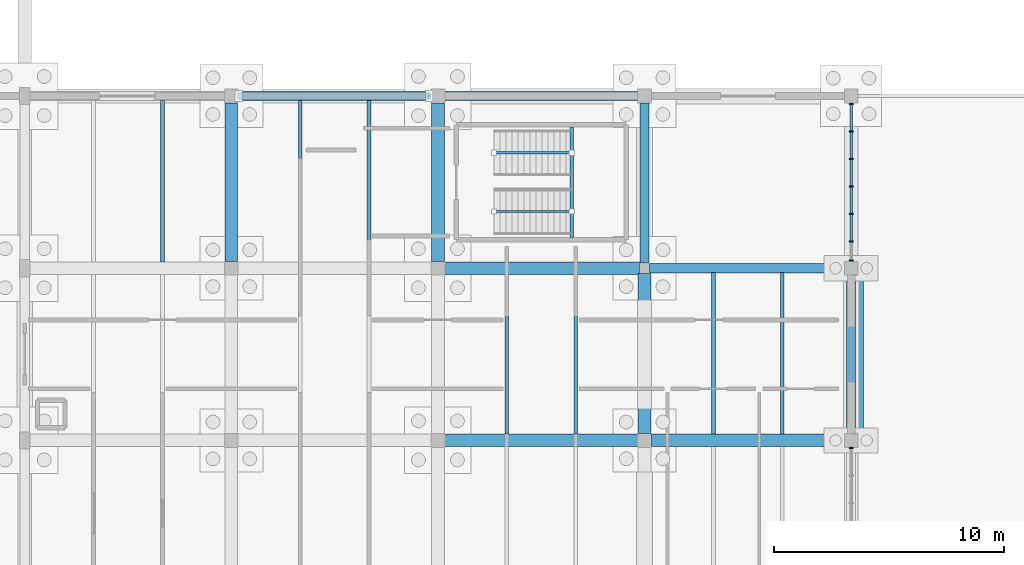
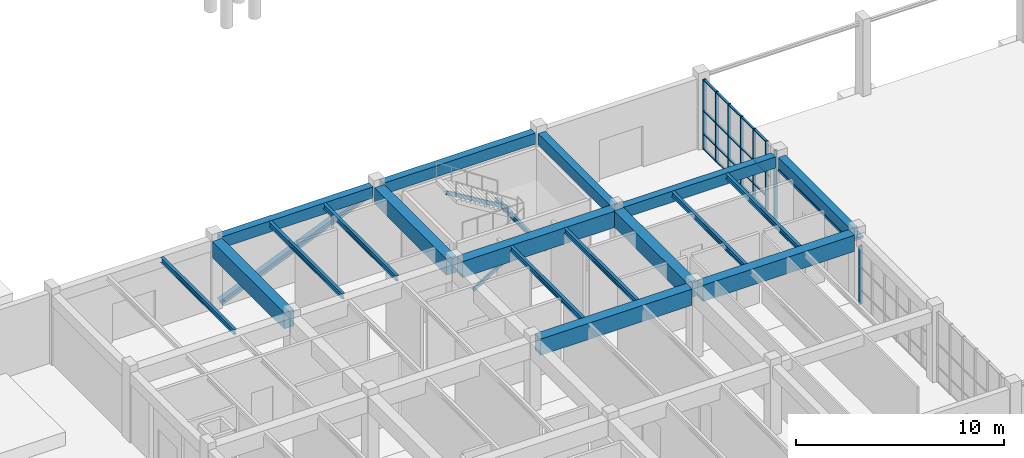
# One storey, part 24 of 93: 32 members, 19 beams, 2 elements without a shape of their own.
"""IFC4 building model written with IfcOpenShell, lengths in metres."""

from ifc_helpers import new_model, si_unit, direction, frame, origin, origin_2d, place, context, subcontext, project, spatial, rectangle, hollow_rectangle, i_section, extrude, material, layer, layer_set, material_profile, profile_set, type_object, element, aggregate, save


model = new_model("IFC4")

# Units and contexts
model_context = context("Model", 3, precision=1e-05, world=origin(), true_north=direction((0.0, 1.0)))
body_context = subcontext(model_context, "Body", "Model", "MODEL_VIEW")
ifc_project = project(units=[si_unit("LENGTHUNIT", "METRE"), si_unit("AREAUNIT", "SQUARE_METRE"), si_unit("VOLUMEUNIT", "CUBIC_METRE"), si_unit("PLANEANGLEUNIT", "RADIAN"), si_unit("MASSUNIT", "GRAM", prefix="KILO")], contexts=[model_context])

# Site, building, storey
site_placement = place(None, origin())
site = spatial("IfcSite", under=ifc_project, at=site_placement, CompositionType="ELEMENT")
building_placement = place(site_placement, origin())
building = spatial("IfcBuilding", under=site, at=building_placement, Name="Marnridge Secondary College", CompositionType="ELEMENT")
storey_placement = place(building_placement, origin())
storey = spatial("IfcBuildingStorey", under=building, at=storey_placement, Name="L00", CompositionType="ELEMENT", Elevation=0.0)

# Beams
ifc_material_1 = material(Name="Concrete C40/50 (AS 3600 N40, 40 MPa)", Category="concrete")
ifc_material_profile_1 = material_profile(ifc_material_1, rectangle(XDim=0.39990234375, YDim=0.64990234375, at=origin_2d()), Name="RC 400x650")
ifc_profile_set_1 = profile_set([ifc_material_profile_1], Name="Concrete C40/50 (AS 3600 N40, 40 MPa)")
beam_type_1 = type_object("IfcBeamType", Name="BM-RC4065-EXT", PredefinedType="SPANDREL", material=ifc_profile_set_1)
for number, where, z_axis, x_axis, name in (
    (1, (99.2939453125, 30.0, 3.77490234375), (1.0, 0.0, 0.0), (0.0, 1.0, 0.0), "Beam BS-L00-0184"),
    (2, (108.2939453125, 30.0, 3.77490234375), (1.0, 0.0, 0.0), (0.0, 1.0, 0.0), "Beam BS-L00-0193"),
):
    element("IfcBeam", number, at=place(storey_placement, frame(where, z_axis=z_axis, x_axis=x_axis)), inside=storey, type_object=beam_type_1, Name=name, PredefinedType="SPANDREL", context=body_context, shape_type="SweptSolid", body=[
        extrude(rectangle(XDim=0.39990234375, YDim=0.64990234375, at=origin_2d()), origin(), (0.0, 0.0, 1.0), 8.412109375),
    ])
beam_1_placement = place(storey_placement, frame((117.0, 22.718994140625, 3.77490234375), z_axis=(0.0, 1.0, 0.0), x_axis=(-1.0, 0.0, 0.0)))
element("IfcBeam", 3, at=beam_1_placement, inside=storey, type_object=beam_type_1, Name="Beam BS-L00-0194", PredefinedType="SPANDREL", context=body_context, shape_type="SweptSolid", body=[
    extrude(rectangle(XDim=0.39990234375, YDim=0.64990234375, at=origin_2d()), origin(), (0.0, 0.0, 1.0), 6.987060546875),
])
beam_2_placement = place(storey_placement, frame((117.218994140625, 22.5, 3.77490234375), z_axis=(1.0, 0.0, 0.0), x_axis=(0.0, 1.0, 0.0)))
element("IfcBeam", 4, at=beam_2_placement, inside=storey, type_object=beam_type_1, Name="Beam BS-L00-0198", PredefinedType="SPANDREL", context=body_context, shape_type="SweptSolid", body=[
    extrude(rectangle(XDim=0.39990234375, YDim=0.64990234375, at=origin_2d()), origin(), (0.0, 0.0, 1.0), 8.487060546875),
])
beam_3_placement = place(storey_placement, frame((126.0, 15.2939453125, 3.77490234375), z_axis=(0.0, 1.0, 0.0), x_axis=(-1.0, 0.0, 0.0)))
element("IfcBeam", 5, at=beam_3_placement, inside=storey, type_object=beam_type_1, Name="Beam BS-L00-0199", PredefinedType="SPANDREL", context=body_context, shape_type="SweptSolid", body=[
    extrude(rectangle(XDim=0.39990234375, YDim=0.64990234375, at=origin_2d()), origin(), (0.0, 0.0, 1.0), 6.912109375),
])
ifc_material_2 = material(Name="Concrete C40/50 (AS 3600 N40, 40 MPa)", Category="concrete")
ifc_material_profile_2 = material_profile(ifc_material_2, rectangle(XDim=0.550048828125, YDim=0.949951171875, at=origin_2d()), Name="RC 550x950")
ifc_profile_set_2 = profile_set([ifc_material_profile_2], Name="Concrete C40/50 (AS 3600 N40, 40 MPa)")
beam_type_2 = type_object("IfcBeamType", Name="BM-RC5595-INT", PredefinedType="BEAM", material=ifc_profile_set_2)
for number, where, z_axis, x_axis, name in (
    (6, (99.0, 22.7939453125, 3.625), (0.0, 1.0, 0.0), (-1.0, 0.0, 0.0), "Beam B-L00-0176"),
    (7, (108.0, 22.7939453125, 3.625), (0.0, 1.0, 0.0), (-1.0, 0.0, 0.0), "Beam B-L00-0185"),
):
    element("IfcBeam", number, at=place(storey_placement, frame(where, z_axis=z_axis, x_axis=x_axis)), inside=storey, type_object=beam_type_2, Name=name, PredefinedType="BEAM", context=body_context, shape_type="SweptSolid", body=[
        extrude(rectangle(XDim=0.550048828125, YDim=0.949951171875, at=origin_2d()), origin(), (0.0, 0.0, 1.0), 6.912109375),
    ])
beam_4_placement = place(storey_placement, frame((108.2939453125, 15.0, 3.625), z_axis=(1.0, 0.0, 0.0), x_axis=(0.0, 1.0, 0.0)))
element("IfcBeam", 8, at=beam_4_placement, inside=storey, type_object=beam_type_2, Name="Beam B-L00-0189", PredefinedType="BEAM", context=body_context, shape_type="SweptSolid", body=[
    extrude(rectangle(XDim=0.550048828125, YDim=0.949951171875, at=origin_2d()), origin(), (0.0, 0.0, 1.0), 8.412109375),
])
beam_5_placement = place(storey_placement, frame((108.2939453125, 22.5, 3.625), z_axis=(1.0, 0.0, 0.0), x_axis=(0.0, 1.0, 0.0)))
element("IfcBeam", 9, at=beam_5_placement, inside=storey, type_object=beam_type_2, Name="Beam B-L00-0191", PredefinedType="BEAM", context=body_context, shape_type="SweptSolid", body=[
    extrude(rectangle(XDim=0.550048828125, YDim=0.949951171875, at=origin_2d()), origin(), (0.0, 0.0, 1.0), 8.487060546875),
])
beam_6_placement = place(storey_placement, frame((117.0, 15.2939453125, 3.625), z_axis=(0.0, 1.0, 0.0), x_axis=(-1.0, 0.0, 0.0)))
element("IfcBeam", 10, at=beam_6_placement, inside=storey, type_object=beam_type_2, Name="Beam B-L00-0192", PredefinedType="BEAM", context=body_context, shape_type="SweptSolid", body=[
    extrude(rectangle(XDim=0.550048828125, YDim=0.949951171875, at=origin_2d()), origin(), (0.0, 0.0, 1.0), 6.987060546875),
])
beam_7_placement = place(storey_placement, frame((117.2939453125, 15.0, 3.625), z_axis=(1.0, 0.0, 0.0), x_axis=(0.0, 1.0, 0.0)))
element("IfcBeam", 11, at=beam_7_placement, inside=storey, type_object=beam_type_2, Name="Beam B-L00-0196", PredefinedType="BEAM", context=body_context, shape_type="SweptSolid", body=[
    extrude(rectangle(XDim=0.550048828125, YDim=0.949951171875, at=origin_2d()), origin(), (0.0, 0.0, 1.0), 8.412109375),
])
ifc_material_3 = material(Name="Structural steel Grade 350 (AS/NZS 3679.1/.2, fy = 340-360 MPa)", Category="steel")
ifc_material_profile_3 = material_profile(ifc_material_3, i_section(OverallWidth=0.146240234375, OverallDepth=0.256103515625, WebThickness=0.00634765625, FlangeThickness=0.010986328125, FilletRadius=0.0087890625, at=origin_2d()), Name="250UB37.3")
ifc_profile_set_3 = profile_set([ifc_material_profile_3], Name="Structural steel Grade 350 (AS/NZS 3679.1/.2, fy = 340-360 MPa)")
beam_type_3 = type_object("IfcBeamType", Name="BM-UB250-EXT", PredefinedType="LINTEL", material=ifc_profile_set_3)
beam_8_placement = place(storey_placement, frame((113.830078125, 23.842041015625, 1.921875), z_axis=(0.0, 1.0, 0.0), x_axis=(-1.0, 0.0, 0.0)))
element("IfcBeam", 12, at=beam_8_placement, inside=storey, type_object=beam_type_3, Name="Stair landing trimmer beam BT-L00-053", PredefinedType="LINTEL", context=body_context, shape_type="SweptSolid", body=[
    extrude(i_section(OverallWidth=0.146240234375, OverallDepth=0.256103515625, WebThickness=0.00634765625, FlangeThickness=0.010986328125, FilletRadius=0.0087890625, at=origin_2d()), origin(), (0.0, 0.0, 1.0), 4.802978515625),
])
ifc_material_4 = material(Name="Structural steel Grade 350 (AS/NZS 3679.1/.2, fy = 340-360 MPa)", Category="steel")
ifc_material_profile_4 = material_profile(ifc_material_4, i_section(OverallWidth=0.1650390625, OverallDepth=0.303955078125, WebThickness=0.006103515625, FlangeThickness=0.01025390625, FilletRadius=0.011474609375, at=origin_2d()), Name="310UB40.4")
ifc_profile_set_4 = profile_set([ifc_material_profile_4], Name="Structural steel Grade 350 (AS/NZS 3679.1/.2, fy = 340-360 MPa)")
beam_type_4 = type_object("IfcBeamType", Name="BM-UB310-INT", PredefinedType="BEAM", material=ifc_profile_set_4)
for number, where, z_axis, x_axis, name in (
    (13, (96.0, 22.76904296875, 3.947998046875), (0.0, 1.0, 0.0), (-1.0, 0.0, 0.0), "Beam BJ-L00-0205"),
    (14, (102.0, 22.76904296875, 3.947998046875), (0.0, 1.0, 0.0), (-1.0, 0.0, 0.0), "Beam BJ-L00-0210"),
    (15, (105.0, 22.76904296875, 3.947998046875), (0.0, 1.0, 0.0), (-1.0, 0.0, 0.0), "Beam BJ-L00-0211"),
):
    element("IfcBeam", number, at=place(storey_placement, frame(where, z_axis=z_axis, x_axis=x_axis)), inside=storey, type_object=beam_type_4, Name=name, PredefinedType="BEAM", context=body_context, shape_type="SweptSolid", body=[
        extrude(i_section(OverallWidth=0.1650390625, OverallDepth=0.303955078125, WebThickness=0.006103515625, FlangeThickness=0.01025390625, FilletRadius=0.011474609375, at=origin_2d()), origin(), (0.0, 0.0, 1.0), 7.036865234375),
    ])
for number, where, z_axis, x_axis, name in (
    (16, (111.0, 15.26904296875, 3.947998046875), (0.0, 1.0, 0.0), (-1.0, 0.0, 0.0), "Beam BJ-L00-0216"),
    (17, (114.0, 15.26904296875, 3.947998046875), (0.0, 1.0, 0.0), (-1.0, 0.0, 0.0), "Beam BJ-L00-0217"),
):
    element("IfcBeam", number, at=place(storey_placement, frame(where, z_axis=z_axis, x_axis=x_axis)), inside=storey, type_object=beam_type_4, Name=name, PredefinedType="BEAM", context=body_context, shape_type="SweptSolid", body=[
        extrude(i_section(OverallWidth=0.1650390625, OverallDepth=0.303955078125, WebThickness=0.006103515625, FlangeThickness=0.01025390625, FilletRadius=0.011474609375, at=origin_2d()), origin(), (0.0, 0.0, 1.0), 6.9619140625),
    ])
for number, where, z_axis, x_axis, name in (
    (18, (120.0, 15.26904296875, 3.947998046875), (0.0, 1.0, 0.0), (-1.0, 0.0, 0.0), "Beam BJ-L00-0220"),
    (19, (123.0, 15.26904296875, 3.947998046875), (0.0, 1.0, 0.0), (-1.0, 0.0, 0.0), "Beam BJ-L00-0221"),
):
    element("IfcBeam", number, at=place(storey_placement, frame(where, z_axis=z_axis, x_axis=x_axis)), inside=storey, type_object=beam_type_4, Name=name, PredefinedType="BEAM", context=body_context, shape_type="SweptSolid", body=[
        extrude(i_section(OverallWidth=0.1650390625, OverallDepth=0.303955078125, WebThickness=0.006103515625, FlangeThickness=0.01025390625, FilletRadius=0.011474609375, at=origin_2d()), origin(), (0.0, 0.0, 1.0), 7.036865234375),
    ])

# Curtain wall, members
ifc_material_5 = material(Name="Thermally broken aluminium and low-E glazing", Category="aluminium")
ifc_layer = layer(ifc_material_5, 0.179931640625)
ifc_layer_set = layer_set([ifc_layer], Name="CW-MOD-1200")
curtain_wall_type = type_object("IfcCurtainWallType", Name="CW-MOD-1200", PredefinedType="NOTDEFINED", material=ifc_layer_set)
curtain_wall_1_placement = place(storey_placement, origin())
curtain_wall_1 = element("IfcCurtainWall", 20, at=curtain_wall_1_placement, inside=storey, type_object=curtain_wall_type, Name="Unitised curtain wall CW-L00-009", PredefinedType="NOTDEFINED")
ifc_material_6 = material(Name="Anodised aluminium 6063-T6", Category="aluminium")
ifc_material_profile_5 = material_profile(ifc_material_6, rectangle(XDim=0.06494140625, YDim=0.179931640625, at=origin_2d()), Name="ALU 65x180")
ifc_profile_set_5 = profile_set([ifc_material_profile_5], Name="Anodised aluminium 6063-T6")
member_type_1 = type_object("IfcMemberType", Name="CWM-ALU180", PredefinedType="MULLION", material=ifc_profile_set_5)
member_1_placement = place(storey_placement, frame((126.0, 29.66357421875, 0.0), z_axis=(0.0, 0.0, 1.0), x_axis=(0.0, -1.0, 0.0)))
member_1 = element("IfcMember", 21, at=member_1_placement, type_object=member_type_1, Name="CW-L00-009 mullion 1", PredefinedType="MULLION", context=body_context, shape_type="SweptSolid", body=[
    extrude(rectangle(XDim=0.06494140625, YDim=0.179931640625, at=origin_2d()), origin(), (0.0, 0.0, 1.0), 4.10009765625),
])
member_2_placement = place(storey_placement, frame((126.0, 28.46337890625, 0.0), z_axis=(0.0, 0.0, 1.0), x_axis=(0.0, -1.0, 0.0)))
member_2 = element("IfcMember", 22, at=member_2_placement, type_object=member_type_1, Name="CW-L00-009 mullion 2", PredefinedType="MULLION", context=body_context, shape_type="SweptSolid", body=[
    extrude(rectangle(XDim=0.06494140625, YDim=0.179931640625, at=origin_2d()), origin(), (0.0, 0.0, 1.0), 4.10009765625),
])
member_3_placement = place(storey_placement, frame((126.0, 27.263427734375, 0.0), z_axis=(0.0, 0.0, 1.0), x_axis=(0.0, -1.0, 0.0)))
member_3 = element("IfcMember", 23, at=member_3_placement, type_object=member_type_1, Name="CW-L00-009 mullion 3", PredefinedType="MULLION", context=body_context, shape_type="SweptSolid", body=[
    extrude(rectangle(XDim=0.06494140625, YDim=0.179931640625, at=origin_2d()), origin(), (0.0, 0.0, 1.0), 4.10009765625),
])
member_4_placement = place(storey_placement, frame((126.0, 26.0634765625, 0.0), z_axis=(0.0, 0.0, 1.0), x_axis=(0.0, -1.0, 0.0)))
member_4 = element("IfcMember", 24, at=member_4_placement, type_object=member_type_1, Name="CW-L00-009 mullion 4", PredefinedType="MULLION", context=body_context, shape_type="SweptSolid", body=[
    extrude(rectangle(XDim=0.06494140625, YDim=0.179931640625, at=origin_2d()), origin(), (0.0, 0.0, 1.0), 4.10009765625),
])
member_5_placement = place(storey_placement, frame((126.0, 24.863525390625, 0.0), z_axis=(0.0, 0.0, 1.0), x_axis=(0.0, -1.0, 0.0)))
member_5 = element("IfcMember", 25, at=member_5_placement, type_object=member_type_1, Name="CW-L00-009 mullion 5", PredefinedType="MULLION", context=body_context, shape_type="SweptSolid", body=[
    extrude(rectangle(XDim=0.06494140625, YDim=0.179931640625, at=origin_2d()), origin(), (0.0, 0.0, 1.0), 4.10009765625),
])
member_6_placement = place(storey_placement, frame((126.0, 23.66357421875, 0.0), z_axis=(0.0, 0.0, 1.0), x_axis=(0.0, -1.0, 0.0)))
member_6 = element("IfcMember", 26, at=member_6_placement, type_object=member_type_1, Name="CW-L00-009 mullion 6", PredefinedType="MULLION", context=body_context, shape_type="SweptSolid", body=[
    extrude(rectangle(XDim=0.06494140625, YDim=0.179931640625, at=origin_2d()), origin(), (0.0, 0.0, 1.0), 4.10009765625),
])
member_7_placement = place(storey_placement, frame((126.0, 22.83642578125, 0.0), z_axis=(0.0, 0.0, 1.0), x_axis=(0.0, -1.0, 0.0)))
member_7 = element("IfcMember", 27, at=member_7_placement, type_object=member_type_1, Name="CW-L00-009 mullion 7", PredefinedType="MULLION", context=body_context, shape_type="SweptSolid", body=[
    extrude(rectangle(XDim=0.06494140625, YDim=0.179931640625, at=origin_2d()), origin(), (0.0, 0.0, 1.0), 4.10009765625),
])

# Curtain wall, member
curtain_wall_2_placement = place(storey_placement, origin())
curtain_wall_2 = element("IfcCurtainWall", 28, at=curtain_wall_2_placement, inside=storey, type_object=curtain_wall_type, Name="Unitised curtain wall CW-L00-010", PredefinedType="NOTDEFINED")
member_8_placement = place(storey_placement, frame((126.0, 14.66357421875, 0.0), z_axis=(0.0, 0.0, 1.0), x_axis=(0.0, -1.0, 0.0)))
member_8 = element("IfcMember", 29, at=member_8_placement, type_object=member_type_1, Name="CW-L00-010 mullion 1", PredefinedType="MULLION", context=body_context, shape_type="SweptSolid", body=[
    extrude(rectangle(XDim=0.06494140625, YDim=0.179931640625, at=origin_2d()), origin(), (0.0, 0.0, 1.0), 3.44189453125),
])
aggregate(curtain_wall_2, [member_8])

# Member
ifc_material_7 = material(Name="Anodised aluminium 6063-T6", Category="aluminium")
ifc_material_profile_6 = material_profile(ifc_material_7, rectangle(XDim=0.06005859375, YDim=0.1201171875, at=origin_2d()), Name="ALU 60x120")
ifc_profile_set_6 = profile_set([ifc_material_profile_6], Name="Anodised aluminium 6063-T6")
member_type_2 = type_object("IfcMemberType", Name="CWT-ALU120", PredefinedType="USERDEFINED", material=ifc_profile_set_6)
member_9_placement = place(storey_placement, frame((126.0, 29.631103515625, 0.030029296875), z_axis=(0.0, -1.0, 0.0), x_axis=(0.0, 0.0, 1.0)))
member_9 = element("IfcMember", 30, at=member_9_placement, type_object=member_type_2, Name="CW-L00-009 transom 1.1", ObjectType="TRANSOM", PredefinedType="USERDEFINED", context=body_context, shape_type="SweptSolid", body=[
    extrude(rectangle(XDim=0.06005859375, YDim=0.1201171875, at=origin_2d()), origin(), (0.0, 0.0, 1.0), 1.135009765625),
])

member_10_placement = place(storey_placement, frame((126.0, 29.631103515625, 0.89990234375), z_axis=(0.0, -1.0, 0.0), x_axis=(0.0, 0.0, 1.0)))
member_10 = element("IfcMember", 31, at=member_10_placement, type_object=member_type_2, Name="CW-L00-009 transom 1.2", ObjectType="TRANSOM", PredefinedType="USERDEFINED", context=body_context, shape_type="SweptSolid", body=[
    extrude(rectangle(XDim=0.06005859375, YDim=0.1201171875, at=origin_2d()), origin(), (0.0, 0.0, 1.0), 1.135009765625),
])

member_11_placement = place(storey_placement, frame((126.0, 29.631103515625, 2.25), z_axis=(0.0, -1.0, 0.0), x_axis=(0.0, 0.0, 1.0)))
member_11 = element("IfcMember", 32, at=member_11_placement, type_object=member_type_2, Name="CW-L00-009 transom 1.3", ObjectType="TRANSOM", PredefinedType="USERDEFINED", context=body_context, shape_type="SweptSolid", body=[
    extrude(rectangle(XDim=0.06005859375, YDim=0.1201171875, at=origin_2d()), origin(), (0.0, 0.0, 1.0), 1.135009765625),
])

member_12_placement = place(storey_placement, frame((126.0, 29.631103515625, 4.070068359375), z_axis=(0.0, -1.0, 0.0), x_axis=(0.0, 0.0, 1.0)))
member_12 = element("IfcMember", 33, at=member_12_placement, type_object=member_type_2, Name="CW-L00-009 transom 1.4", ObjectType="TRANSOM", PredefinedType="USERDEFINED", context=body_context, shape_type="SweptSolid", body=[
    extrude(rectangle(XDim=0.06005859375, YDim=0.1201171875, at=origin_2d()), origin(), (0.0, 0.0, 1.0), 1.135009765625),
])

member_13_placement = place(storey_placement, frame((126.0, 28.430908203125, 0.030029296875), z_axis=(0.0, -1.0, 0.0), x_axis=(0.0, 0.0, 1.0)))
member_13 = element("IfcMember", 34, at=member_13_placement, type_object=member_type_2, Name="CW-L00-009 transom 2.1", ObjectType="TRANSOM", PredefinedType="USERDEFINED", context=body_context, shape_type="SweptSolid", body=[
    extrude(rectangle(XDim=0.06005859375, YDim=0.1201171875, at=origin_2d()), origin(), (0.0, 0.0, 1.0), 1.135009765625),
])

member_14_placement = place(storey_placement, frame((126.0, 28.430908203125, 0.89990234375), z_axis=(0.0, -1.0, 0.0), x_axis=(0.0, 0.0, 1.0)))
member_14 = element("IfcMember", 35, at=member_14_placement, type_object=member_type_2, Name="CW-L00-009 transom 2.2", ObjectType="TRANSOM", PredefinedType="USERDEFINED", context=body_context, shape_type="SweptSolid", body=[
    extrude(rectangle(XDim=0.06005859375, YDim=0.1201171875, at=origin_2d()), origin(), (0.0, 0.0, 1.0), 1.135009765625),
])

member_15_placement = place(storey_placement, frame((126.0, 28.430908203125, 2.25), z_axis=(0.0, -1.0, 0.0), x_axis=(0.0, 0.0, 1.0)))
member_15 = element("IfcMember", 36, at=member_15_placement, type_object=member_type_2, Name="CW-L00-009 transom 2.3", ObjectType="TRANSOM", PredefinedType="USERDEFINED", context=body_context, shape_type="SweptSolid", body=[
    extrude(rectangle(XDim=0.06005859375, YDim=0.1201171875, at=origin_2d()), origin(), (0.0, 0.0, 1.0), 1.135009765625),
])

member_16_placement = place(storey_placement, frame((126.0, 28.430908203125, 4.070068359375), z_axis=(0.0, -1.0, 0.0), x_axis=(0.0, 0.0, 1.0)))
member_16 = element("IfcMember", 37, at=member_16_placement, type_object=member_type_2, Name="CW-L00-009 transom 2.4", ObjectType="TRANSOM", PredefinedType="USERDEFINED", context=body_context, shape_type="SweptSolid", body=[
    extrude(rectangle(XDim=0.06005859375, YDim=0.1201171875, at=origin_2d()), origin(), (0.0, 0.0, 1.0), 1.135009765625),
])

member_17_placement = place(storey_placement, frame((126.0, 27.23095703125, 0.030029296875), z_axis=(0.0, -1.0, 0.0), x_axis=(0.0, 0.0, 1.0)))
member_17 = element("IfcMember", 38, at=member_17_placement, type_object=member_type_2, Name="CW-L00-009 transom 3.1", ObjectType="TRANSOM", PredefinedType="USERDEFINED", context=body_context, shape_type="SweptSolid", body=[
    extrude(rectangle(XDim=0.06005859375, YDim=0.1201171875, at=origin_2d()), origin(), (0.0, 0.0, 1.0), 1.135009765625),
])

member_18_placement = place(storey_placement, frame((126.0, 27.23095703125, 0.89990234375), z_axis=(0.0, -1.0, 0.0), x_axis=(0.0, 0.0, 1.0)))
member_18 = element("IfcMember", 39, at=member_18_placement, type_object=member_type_2, Name="CW-L00-009 transom 3.2", ObjectType="TRANSOM", PredefinedType="USERDEFINED", context=body_context, shape_type="SweptSolid", body=[
    extrude(rectangle(XDim=0.06005859375, YDim=0.1201171875, at=origin_2d()), origin(), (0.0, 0.0, 1.0), 1.135009765625),
])

member_19_placement = place(storey_placement, frame((126.0, 27.23095703125, 2.25), z_axis=(0.0, -1.0, 0.0), x_axis=(0.0, 0.0, 1.0)))
member_19 = element("IfcMember", 40, at=member_19_placement, type_object=member_type_2, Name="CW-L00-009 transom 3.3", ObjectType="TRANSOM", PredefinedType="USERDEFINED", context=body_context, shape_type="SweptSolid", body=[
    extrude(rectangle(XDim=0.06005859375, YDim=0.1201171875, at=origin_2d()), origin(), (0.0, 0.0, 1.0), 1.135009765625),
])

member_20_placement = place(storey_placement, frame((126.0, 27.23095703125, 4.070068359375), z_axis=(0.0, -1.0, 0.0), x_axis=(0.0, 0.0, 1.0)))
member_20 = element("IfcMember", 41, at=member_20_placement, type_object=member_type_2, Name="CW-L00-009 transom 3.4", ObjectType="TRANSOM", PredefinedType="USERDEFINED", context=body_context, shape_type="SweptSolid", body=[
    extrude(rectangle(XDim=0.06005859375, YDim=0.1201171875, at=origin_2d()), origin(), (0.0, 0.0, 1.0), 1.135009765625),
])

member_21_placement = place(storey_placement, frame((126.0, 26.031005859375, 0.030029296875), z_axis=(0.0, -1.0, 0.0), x_axis=(0.0, 0.0, 1.0)))
member_21 = element("IfcMember", 42, at=member_21_placement, type_object=member_type_2, Name="CW-L00-009 transom 4.1", ObjectType="TRANSOM", PredefinedType="USERDEFINED", context=body_context, shape_type="SweptSolid", body=[
    extrude(rectangle(XDim=0.06005859375, YDim=0.1201171875, at=origin_2d()), origin(), (0.0, 0.0, 1.0), 1.135009765625),
])

member_22_placement = place(storey_placement, frame((126.0, 26.031005859375, 0.89990234375), z_axis=(0.0, -1.0, 0.0), x_axis=(0.0, 0.0, 1.0)))
member_22 = element("IfcMember", 43, at=member_22_placement, type_object=member_type_2, Name="CW-L00-009 transom 4.2", ObjectType="TRANSOM", PredefinedType="USERDEFINED", context=body_context, shape_type="SweptSolid", body=[
    extrude(rectangle(XDim=0.06005859375, YDim=0.1201171875, at=origin_2d()), origin(), (0.0, 0.0, 1.0), 1.135009765625),
])

member_23_placement = place(storey_placement, frame((126.0, 26.031005859375, 2.25), z_axis=(0.0, -1.0, 0.0), x_axis=(0.0, 0.0, 1.0)))
member_23 = element("IfcMember", 44, at=member_23_placement, type_object=member_type_2, Name="CW-L00-009 transom 4.3", ObjectType="TRANSOM", PredefinedType="USERDEFINED", context=body_context, shape_type="SweptSolid", body=[
    extrude(rectangle(XDim=0.06005859375, YDim=0.1201171875, at=origin_2d()), origin(), (0.0, 0.0, 1.0), 1.135009765625),
])

member_24_placement = place(storey_placement, frame((126.0, 26.031005859375, 4.070068359375), z_axis=(0.0, -1.0, 0.0), x_axis=(0.0, 0.0, 1.0)))
member_24 = element("IfcMember", 45, at=member_24_placement, type_object=member_type_2, Name="CW-L00-009 transom 4.4", ObjectType="TRANSOM", PredefinedType="USERDEFINED", context=body_context, shape_type="SweptSolid", body=[
    extrude(rectangle(XDim=0.06005859375, YDim=0.1201171875, at=origin_2d()), origin(), (0.0, 0.0, 1.0), 1.135009765625),
])

member_25_placement = place(storey_placement, frame((126.0, 24.8310546875, 0.030029296875), z_axis=(0.0, -1.0, 0.0), x_axis=(0.0, 0.0, 1.0)))
member_25 = element("IfcMember", 46, at=member_25_placement, type_object=member_type_2, Name="CW-L00-009 transom 5.1", ObjectType="TRANSOM", PredefinedType="USERDEFINED", context=body_context, shape_type="SweptSolid", body=[
    extrude(rectangle(XDim=0.06005859375, YDim=0.1201171875, at=origin_2d()), origin(), (0.0, 0.0, 1.0), 1.135009765625),
])

member_26_placement = place(storey_placement, frame((126.0, 24.8310546875, 0.89990234375), z_axis=(0.0, -1.0, 0.0), x_axis=(0.0, 0.0, 1.0)))
member_26 = element("IfcMember", 47, at=member_26_placement, type_object=member_type_2, Name="CW-L00-009 transom 5.2", ObjectType="TRANSOM", PredefinedType="USERDEFINED", context=body_context, shape_type="SweptSolid", body=[
    extrude(rectangle(XDim=0.06005859375, YDim=0.1201171875, at=origin_2d()), origin(), (0.0, 0.0, 1.0), 1.135009765625),
])

member_27_placement = place(storey_placement, frame((126.0, 24.8310546875, 2.25), z_axis=(0.0, -1.0, 0.0), x_axis=(0.0, 0.0, 1.0)))
member_27 = element("IfcMember", 48, at=member_27_placement, type_object=member_type_2, Name="CW-L00-009 transom 5.3", ObjectType="TRANSOM", PredefinedType="USERDEFINED", context=body_context, shape_type="SweptSolid", body=[
    extrude(rectangle(XDim=0.06005859375, YDim=0.1201171875, at=origin_2d()), origin(), (0.0, 0.0, 1.0), 1.135009765625),
])

member_28_placement = place(storey_placement, frame((126.0, 24.8310546875, 4.070068359375), z_axis=(0.0, -1.0, 0.0), x_axis=(0.0, 0.0, 1.0)))
member_28 = element("IfcMember", 49, at=member_28_placement, type_object=member_type_2, Name="CW-L00-009 transom 5.4", ObjectType="TRANSOM", PredefinedType="USERDEFINED", context=body_context, shape_type="SweptSolid", body=[
    extrude(rectangle(XDim=0.06005859375, YDim=0.1201171875, at=origin_2d()), origin(), (0.0, 0.0, 1.0), 1.135009765625),
])

aggregate(curtain_wall_1, [member_1, member_2, member_3, member_4, member_5, member_6, member_7, member_9, member_10, member_11, member_12, member_13, member_14, member_15, member_16, member_17, member_18, member_19, member_20, member_21, member_22, member_23, member_24, member_25, member_26, member_27, member_28])

# Members
ifc_material_8 = material(Name="Precast concrete C40/50 (AS 3600 N40, 40 MPa)", Category="concrete")
ifc_material_profile_7 = material_profile(ifc_material_8, rectangle(XDim=0.139892578125, YDim=0.75, at=origin_2d()), Name="FIN PC 140x750")
ifc_profile_set_7 = profile_set([ifc_material_profile_7], Name="Precast concrete C40/50 (AS 3600 N40, 40 MPa)")
member_type_3 = type_object("IfcMemberType", Name="MB-FIN-PC750", PredefinedType="USERDEFINED", material=ifc_profile_set_7)
member_29_placement = place(storey_placement, frame((126.159912109375, 22.199951171875, 3.362060546875), z_axis=(0.0, -1.0, 0.0), x_axis=(0.0, 0.0, 1.0)))
element("IfcMember", 50, at=member_29_placement, inside=storey, type_object=member_type_3, Name="Solar shading fin SFN-0011", ObjectType="SOLAR FIN", PredefinedType="USERDEFINED", context=body_context, shape_type="SweptSolid", body=[
    extrude(rectangle(XDim=0.139892578125, YDim=0.75, at=origin_2d()), origin(), (0.0, 0.0, 1.0), 6.89990234375),
])
ifc_material_9 = material(Name="Cold-formed steel Grade C350L0 (AS/NZS 1163, fy = 350 MPa)", Category="steel")
ifc_material_profile_8 = material_profile(ifc_material_9, hollow_rectangle(XDim=0.10009765625, YDim=0.199951171875, WallThickness=0.006103515625, at=origin_2d()), Name="200x100x6.0RHS")
ifc_profile_set_8 = profile_set([ifc_material_profile_8], Name="Cold-formed steel Grade C350L0 (AS/NZS 1163, fy = 350 MPa)")
member_type_4 = type_object("IfcMemberType", Name="MB-STR-RHS200", PredefinedType="STRINGER", material=ifc_profile_set_8)
member_30_placement = place(storey_placement, frame((110.449951171875, 24.969970703125, 0.014892578125), z_axis=(0.846349195689, 0.0, 0.532628424849), x_axis=(0.0, 1.0, 0.0)))
element("IfcMember", 51, at=member_30_placement, inside=storey, type_object=member_type_4, Name="Stair stringer STR-053", PredefinedType="STRINGER", context=body_context, shape_type="SweptSolid", body=[
    extrude(hollow_rectangle(XDim=0.10009765625, YDim=0.199951171875, WallThickness=0.006103515625, at=origin_2d()), origin(), (0.0, 0.0, 1.0), 3.99365234375),
])
member_31_placement = place(storey_placement, frame((113.830078125, 27.530029296875, 2.14208984375), z_axis=(-0.855058437662, 0.0, 0.51853164627), x_axis=(0.0, -1.0, 0.0)))
element("IfcMember", 52, at=member_31_placement, inside=storey, type_object=member_type_4, Name="Stair stringer STR-054", PredefinedType="STRINGER", context=body_context, shape_type="SweptSolid", body=[
    extrude(hollow_rectangle(XDim=0.10009765625, YDim=0.199951171875, WallThickness=0.006103515625, at=origin_2d()), origin(), (0.0, 0.0, 1.0), 3.953125),
])
ifc_material_10 = material(Name="Structural steel Grade 350 (AS/NZS 3679.1/.2, fy = 340-360 MPa)", Category="steel")
ifc_material_profile_9 = material_profile(ifc_material_10, i_section(OverallWidth=0.3046875, OverallDepth=0.30810546875, WebThickness=0.010009765625, FlangeThickness=0.015380859375, FilletRadius=0.0166015625, at=origin_2d()), Name="310UC96.8")
ifc_profile_set_9 = profile_set([ifc_material_profile_9], Name="Structural steel Grade 350 (AS/NZS 3679.1/.2, fy = 340-360 MPa)")
member_type_5 = type_object("IfcMemberType", Name="MB-TIE-UC310", PredefinedType="BRACE", material=ifc_profile_set_9)
member_32_placement = place(storey_placement, frame((99.320068359375, 30.0, 0.179931640625), z_axis=(0.921427090065, 0.0, 0.388551306385), x_axis=(0.0, 1.0, 0.0)))
element("IfcMember", 53, at=member_32_placement, inside=storey, type_object=member_type_5, Name="Lateral brace BR-008", PredefinedType="BRACE", context=body_context, shape_type="SweptSolid", body=[
    extrude(i_section(OverallWidth=0.3046875, OverallDepth=0.30810546875, WebThickness=0.010009765625, FlangeThickness=0.015380859375, FilletRadius=0.0166015625, at=origin_2d()), origin(), (0.0, 0.0, 1.0), 9.0078125),
])

save(model, "model.ifc")
